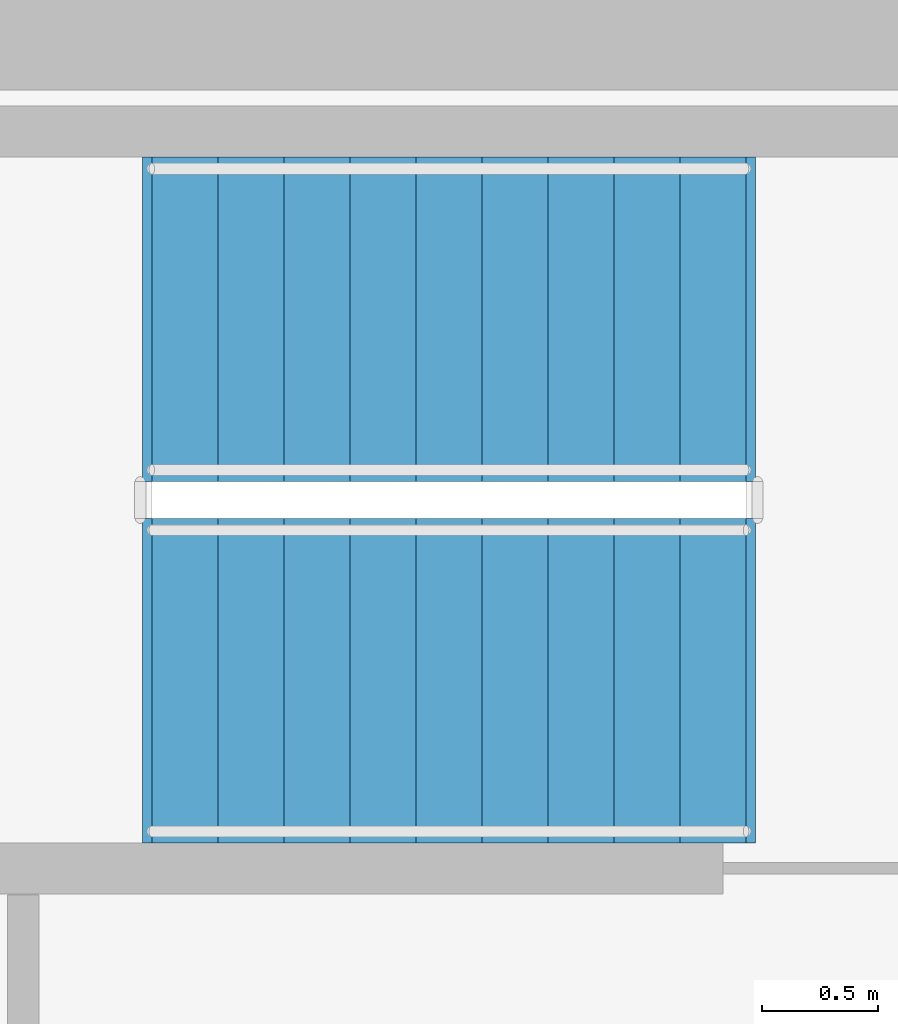
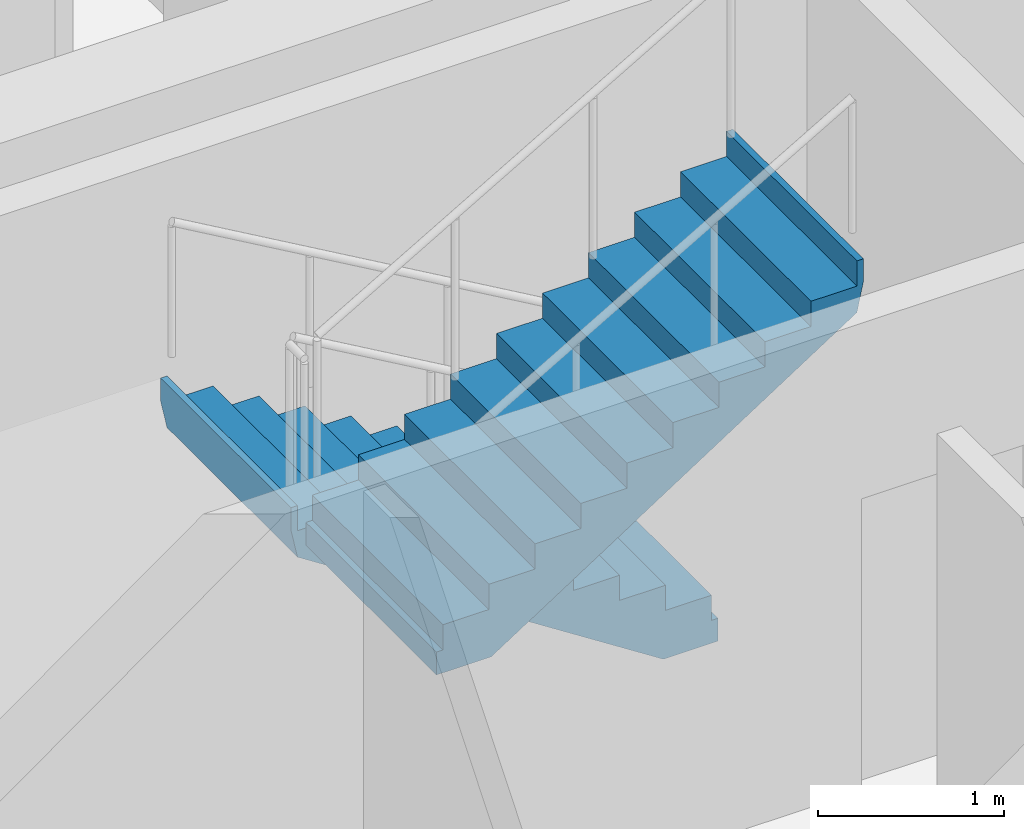
# One storey, part 12 of 13: 2 stair flights, 1 element without a shape of its own.
"""IFC4 building model written with IfcOpenShell, lengths in metres."""

from ifc_helpers import new_model, si_unit, direction, frame, origin, place, context, subcontext, project, spatial, polyline, outline, extrude, material, type_object, element, aggregate, save


model = new_model("IFC4")

# Units and contexts
model_context = context("Model", 3, precision=1e-05, world=origin(), true_north=direction((0.0, 1.0)))
body_context = subcontext(model_context, "Body", "Model", "MODEL_VIEW")
ifc_project = project(units=[si_unit("LENGTHUNIT", "METRE"), si_unit("AREAUNIT", "SQUARE_METRE"), si_unit("VOLUMEUNIT", "CUBIC_METRE"), si_unit("PLANEANGLEUNIT", "RADIAN"), si_unit("MASSUNIT", "GRAM", prefix="KILO")], contexts=[model_context])

# Site, building, storey
site_placement = place(None, origin())
site = spatial("IfcSite", under=ifc_project, at=site_placement, CompositionType="ELEMENT")
building_placement = place(site_placement, origin())
building = spatial("IfcBuilding", under=site, at=building_placement, Name="Durnholm Broadcast Tower", CompositionType="ELEMENT")
storey_placement = place(building_placement, frame((0.0, 0.0, 228.199951171875)))
storey = spatial("IfcBuildingStorey", under=building, at=storey_placement, Name="L63", CompositionType="ELEMENT", Elevation=228.199951171875)

# Stair, stair flights
ifc_material = material(Name="Concrete C50/60", Category="concrete")
stair_type = type_object("IfcStairType", Name="STAIR-DL-20R1650", PredefinedType="HALF_TURN_STAIR", material=ifc_material)
stair_placement = place(storey_placement, origin())
stair = element("IfcStair", 1, at=stair_placement, inside=storey, type_object=stair_type, Name="L63 ST-3", PredefinedType="HALF_TURN_STAIR")
stair_flight_type = type_object("IfcStairFlightType", Name="FLIGHT-DL-20R1650", PredefinedType="STRAIGHT", material=ifc_material)
stair_flight_1_placement = place(storey_placement, frame((0.699951171875, 6.860107421875, 0.0), z_axis=(0.0, 0.0, 1.0), x_axis=(-1.0, 0.0, 0.0)))
stair_flight_1 = element("IfcStairFlight", 2, at=stair_flight_1_placement, type_object=stair_flight_type, Name="ST-3 flight 1", NumberOfRisers=10, NumberOfTreads=9, PredefinedType="STRAIGHT", RiserHeight=0.165, TreadLength=0.285, context=body_context, shape_type="SweptSolid", body=[
    extrude(outline(polyline([(-0.0400390625, -0.14990234375), (-0.0400390625, 0.0), (0.0, 0.0), (0.0, 0.1650390625), (0.284912109375, 0.1650390625), (0.284912109375, 0.330078125), (0.570068359375, 0.330078125), (0.570068359375, 0.4951171875), (0.85498046875, 0.4951171875), (0.85498046875, 0.659912109375), (1.139892578125, 0.659912109375), (1.139892578125, 0.824951171875), (1.425048828125, 0.824951171875), (1.425048828125, 0.989990234375), (1.7099609375, 0.989990234375), (1.7099609375, 1.155029296875), (1.9951171875, 1.155029296875), (1.9951171875, 1.320068359375), (2.280029296875, 1.320068359375), (2.280029296875, 1.485107421875), (2.56494140625, 1.485107421875), (2.56494140625, 1.64990234375), (2.60498046875, 1.64990234375), (2.60498046875, 1.5), (2.56494140625, 1.311767578125), (0.299072265625, -0.14990234375), (-0.0400390625, -0.14990234375)])), frame((0.0, 0.699951171875, 0.0), z_axis=(0.0, -1.0, 0.0), x_axis=(1.0, 0.0, 0.0)), (0.0, 0.0, 1.0), 1.39990234375),
])
stair_flight_2_placement = place(storey_placement, frame((-1.864990234375, 5.300048828125, 1.650146484375), z_axis=(0.0, 0.0, 1.0), x_axis=(1.0, 0.0, 0.0)))
stair_flight_2 = element("IfcStairFlight", 3, at=stair_flight_2_placement, type_object=stair_flight_type, Name="ST-3 flight 2", NumberOfRisers=10, NumberOfTreads=9, PredefinedType="STRAIGHT", RiserHeight=0.165, TreadLength=0.285, context=body_context, shape_type="SweptSolid", body=[
    extrude(outline(polyline([(-0.0400390625, -0.14990234375), (-0.0400390625, 0.0), (0.0, 0.0), (0.0, 0.1650390625), (0.284912109375, 0.1650390625), (0.284912109375, 0.330078125), (0.570068359375, 0.330078125), (0.570068359375, 0.4951171875), (0.85498046875, 0.4951171875), (0.85498046875, 0.659912109375), (1.139892578125, 0.659912109375), (1.139892578125, 0.824951171875), (1.425048828125, 0.824951171875), (1.425048828125, 0.989990234375), (1.7099609375, 0.989990234375), (1.7099609375, 1.155029296875), (1.9951171875, 1.155029296875), (1.9951171875, 1.320068359375), (2.280029296875, 1.320068359375), (2.280029296875, 1.485107421875), (2.56494140625, 1.485107421875), (2.56494140625, 1.64990234375), (2.60498046875, 1.64990234375), (2.60498046875, 1.5), (2.56494140625, 1.311767578125), (0.299072265625, -0.14990234375), (-0.0400390625, -0.14990234375)])), frame((0.0, 0.699951171875, 0.0), z_axis=(0.0, -1.0, 0.0), x_axis=(1.0, 0.0, 0.0)), (0.0, 0.0, 1.0), 1.39990234375),
])
aggregate(stair, [stair_flight_1, stair_flight_2])

save(model, "model.ifc")
